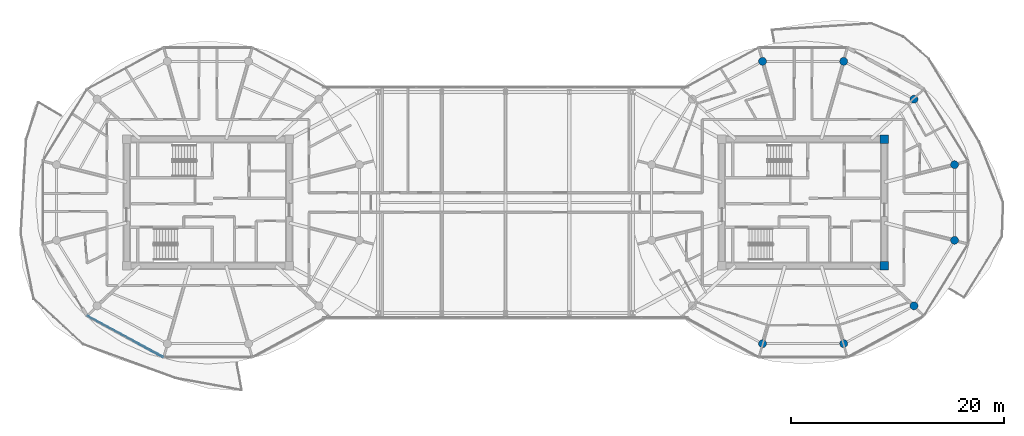
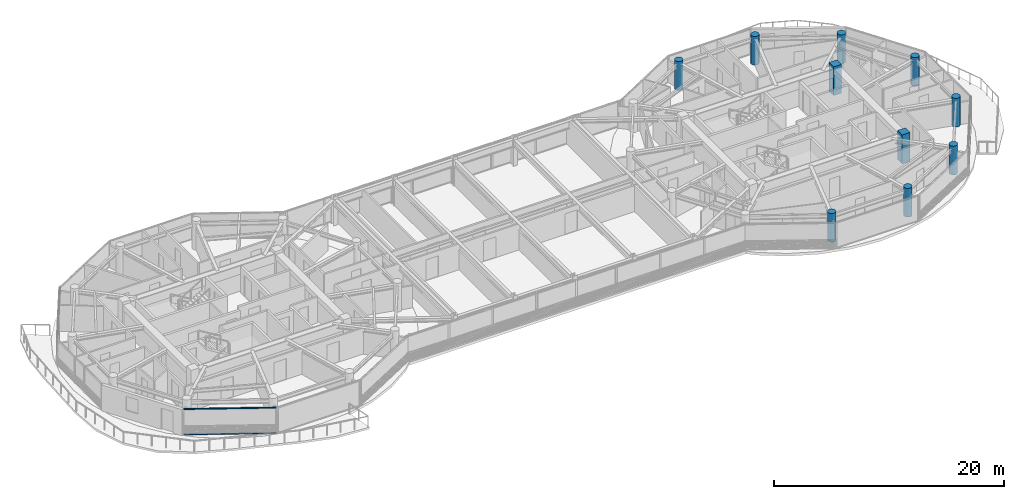
# One storey, part 2 of 23: 10 columns, 2 members, 1 element without a shape of its own.
"""IFC4 building model written with IfcOpenShell, lengths in metres."""

import ifcopenshell
import ifcopenshell.guid

model = None  # the IFC model being written
_history = None  # IfcOwnerHistory: only IFC2X3 demands one
_inside = {}  # id of a spatial element -> (the spatial element, [elements in it])
_under = {}  # id of a project, library or spatial element -> (it, [spatial elements below it])
_declared = {}  # id of a project -> (the project, [libraries it declares])
_typed = {}  # id of a type object -> (the type object, [elements of that type])
_made_of = {}  # id of a material, layer set ... -> (it, [elements and type objects made of it])


def new_model(schema):
    """Start an empty IFC model of exactly this schema.

    Asked for "IFC4X3", IfcOpenShell would pick the latest addendum, in which some entities
    have other attributes; the version numbers below select the first issue.
    IFC2X3 requires an IfcOwnerHistory on every rooted entity: one is made here for all.
    """
    global model, _history
    if schema == "IFC4X3":
        model = ifcopenshell.file(schema_version=(4, 3, 0, 0))
    else:
        model = ifcopenshell.file(schema=schema)
    _inside.clear()
    _under.clear()
    _declared.clear()
    _typed.clear()
    _made_of.clear()
    _history = None
    if model.schema == "IFC2X3":
        org = make("IfcOrganization", Name="unknown")
        user = make(
            "IfcPersonAndOrganization",
            ThePerson=make("IfcPerson", FamilyName="unknown"),
            TheOrganization=org,
        )
        app = make(
            "IfcApplication",
            ApplicationDeveloper=org,
            Version="unknown",
            ApplicationFullName="unknown",
            ApplicationIdentifier="unknown",
        )
        _history = make(
            "IfcOwnerHistory",
            OwningUser=user,
            OwningApplication=app,
            ChangeAction="ADDED",
            CreationDate=0,
        )
    return model


def make(cls, **values):
    """One entity of the class cls with the attributes given. An attribute that is None is left unset."""
    return model.create_entity(
        cls, **{name: value for name, value in values.items() if value is not None}
    )


def rooted(cls, **values):
    """An entity with a GlobalId (a new one), such as an element, a storey or a relation."""
    return make(cls, GlobalId=ifcopenshell.guid.new(), OwnerHistory=_history, **values)


def si_unit(unit_type, name, prefix=None):
    """IfcSIUnit, for example si_unit("LENGTHUNIT", "METRE", prefix="MILLI")."""
    return make("IfcSIUnit", UnitType=unit_type, Prefix=prefix, Name=name)


def assignment(units):
    """IfcUnitAssignment: the units of a project."""
    return None if units is None else make("IfcUnitAssignment", Units=units)


def point(xyz):
    """IfcCartesianPoint."""
    return None if xyz is None else make("IfcCartesianPoint", Coordinates=xyz)


def direction(xyz):
    """IfcDirection."""
    return None if xyz is None else make("IfcDirection", DirectionRatios=xyz)


def frame(location, z_axis=None, x_axis=None):
    """IfcAxis2Placement3D, a coordinate frame: its origin and axes. An axis left out is left unset."""
    return make(
        "IfcAxis2Placement3D",
        Location=point(location),
        Axis=direction(z_axis),
        RefDirection=direction(x_axis),
    )


def frame_2d(location, x_axis=None):
    """IfcAxis2Placement2D, a coordinate frame in the plane: its origin and x axis."""
    return make(
        "IfcAxis2Placement2D", Location=point(location), RefDirection=direction(x_axis)
    )


def origin():
    """The frame at (0, 0, 0) with its axes left unset."""
    return frame((0.0, 0.0, 0.0))


def origin_2d():
    """The frame at (0, 0) in the plane with its x axis left unset."""
    return frame_2d((0.0, 0.0))


def place(relative_to, where):
    """IfcLocalPlacement: puts the frame where relative to a parent placement (None: the world)."""
    return make(
        "IfcLocalPlacement", PlacementRelTo=relative_to, RelativePlacement=where
    )


def context(
    kind, dimensions, precision=None, world=None, true_north=None, identifier=None
):
    """IfcGeometricRepresentationContext, for example the 3D "Model" context."""
    return make(
        "IfcGeometricRepresentationContext",
        ContextIdentifier=identifier,
        ContextType=kind,
        CoordinateSpaceDimension=dimensions,
        Precision=precision,
        WorldCoordinateSystem=world,
        TrueNorth=true_north,
    )


def subcontext(parent, identifier, kind, view, scale=None):
    """IfcGeometricRepresentationSubContext, for example "Body" below "Model"."""
    return make(
        "IfcGeometricRepresentationSubContext",
        ContextIdentifier=identifier,
        ContextType=kind,
        ParentContext=parent,
        TargetScale=scale,
        TargetView=view,
    )


def project(units=None, contexts=None):
    """IfcProject with its units and contexts."""
    return rooted(
        "IfcProject",
        Name="project",
        RepresentationContexts=contexts,
        UnitsInContext=assignment(units),
    )


def spatial(cls, under=None, at=None, **own):
    """A site, building, storey or space (cls), placed at a placement, below another one or the project."""
    s = rooted(cls, ObjectPlacement=at, **own)
    if under is not None:
        _under.setdefault(under.id(), (under, []))[1].append(s)
    return s


def profile(cls, at=None, kind="AREA", **sizes):
    """A parametric profile (cls). Its sizes go by their IFC names, for example OverallWidth=200.0."""
    return make(cls, ProfileType=kind, Position=at, **sizes)


def rectangle(**sizes):
    """IfcRectangleProfileDef."""
    return profile("IfcRectangleProfileDef", **sizes)


def circle(**sizes):
    """IfcCircleProfileDef."""
    return profile("IfcCircleProfileDef", **sizes)


def extrude(swept, where, along, depth):
    """IfcExtrudedAreaSolid: the profile swept, set in the frame where, extruded along a direction by depth."""
    return make(
        "IfcExtrudedAreaSolid",
        SweptArea=swept,
        Position=where,
        ExtrudedDirection=direction(along),
        Depth=depth,
    )


def shape(context_of_items, identifier, shape_type, items):
    """IfcShapeRepresentation: the items that make up one representation, for example the "Body"."""
    return make(
        "IfcShapeRepresentation",
        ContextOfItems=context_of_items,
        RepresentationIdentifier=identifier,
        RepresentationType=shape_type,
        Items=items,
    )


def source(mapping_origin, context_of_items, identifier, shape_type, items):
    """IfcRepresentationMap: a shape defined once, which mapped items show again and again."""
    return make(
        "IfcRepresentationMap",
        MappingOrigin=mapping_origin,
        MappedRepresentation=shape(context_of_items, identifier, shape_type, items),
    )


def transform(
    local_origin,
    x_axis=None,
    y_axis=None,
    z_axis=None,
    scale=None,
    scale2=None,
    scale3=None,
    uniform=True,
):
    """IfcCartesianTransformationOperator3D, or its non-uniform kind. x_axis, y_axis, z_axis: its Axis1, 2, 3."""
    if uniform:
        return make(
            "IfcCartesianTransformationOperator3D",
            Axis1=direction(x_axis),
            Axis2=direction(y_axis),
            LocalOrigin=point(local_origin),
            Scale=scale,
            Axis3=direction(z_axis),
        )
    return make(
        "IfcCartesianTransformationOperator3DnonUniform",
        Axis1=direction(x_axis),
        Axis2=direction(y_axis),
        LocalOrigin=point(local_origin),
        Scale=scale,
        Axis3=direction(z_axis),
        Scale2=scale2,
        Scale3=scale3,
    )


def mapped(mapping_source, mapping_target):
    """IfcMappedItem: shows the shape of a source again, moved by a transform."""
    return make(
        "IfcMappedItem", MappingSource=mapping_source, MappingTarget=mapping_target
    )


def material(Name=None, Category=None):
    """IfcMaterial."""
    return make("IfcMaterial", Name=Name, Category=Category)


def layer(
    of_material, thickness, ventilated=None, Name=None, Category=None, Priority=None
):
    """IfcMaterialLayer: one layer of a wall or slab, of a material (None: an air gap)."""
    return make(
        "IfcMaterialLayer",
        Material=of_material,
        LayerThickness=thickness,
        IsVentilated=ventilated,
        Name=Name,
        Category=Category,
        Priority=Priority,
    )


def layer_set(layers, Name=None):
    """IfcMaterialLayerSet."""
    return make("IfcMaterialLayerSet", MaterialLayers=layers, LayerSetName=Name)


def material_profile(
    of_material, cross_section, Name=None, Category=None, Priority=None
):
    """IfcMaterialProfile: a cross section and its material."""
    return make(
        "IfcMaterialProfile",
        Name=Name,
        Material=of_material,
        Profile=cross_section,
        Priority=Priority,
        Category=Category,
    )


def profile_set(profiles, Name=None, composite=None):
    """IfcMaterialProfileSet."""
    return make(
        "IfcMaterialProfileSet",
        Name=Name,
        MaterialProfiles=profiles,
        CompositeProfile=composite,
    )


def made_of(thing, what):
    """Note that an element or type object is made of a material, layer set ...; save() writes the relation."""
    if what is not None:
        _made_of.setdefault(what.id(), (what, []))[1].append(thing)
    return thing


def type_object(cls, material=None, **own):
    """A type object (cls), such as IfcWallType, which elements share."""
    return made_of(rooted(cls, **own), material)


def type_shapes(of_type, sources):
    """Give a type object the sources (RepresentationMaps) that its elements show as mapped items."""
    of_type.RepresentationMaps = sources


def element(
    cls,
    number,
    at=None,
    inside=None,
    cuts=None,
    type_object=None,
    material=None,
    context=None,
    identifier="Body",
    shape_type=None,
    held_by="IfcProductDefinitionShape",
    body=None,
    shapes=None,
    **own,
):
    """One element of the class cls, such as IfcWall. Its Tag is "e" and its number.

    at: its placement. inside: the storey or other place that contains it. cuts: it is an
    opening in that element (IfcRelVoidsElement). A single representation is given by context,
    identifier, shape_type and body (its items); several are given by shapes. held_by: the class
    of the entity that holds the representations. save() writes the other relations.
    """
    e = rooted(cls, Tag="e%d" % number, ObjectPlacement=at, **own)
    if body is not None:
        shapes = [shape(context, identifier, shape_type, body)]
    if shapes is not None:
        e.Representation = make(held_by, Representations=shapes)
    if inside is not None:
        _inside.setdefault(inside.id(), (inside, []))[1].append(e)
    if cuts is not None:
        rooted(
            "IfcRelVoidsElement", RelatingBuildingElement=cuts, RelatedOpeningElement=e
        )
    if type_object is not None:
        _typed.setdefault(type_object.id(), (type_object, []))[1].append(e)
    return made_of(e, material)


def aggregate(whole, parts):
    """IfcRelAggregates: a whole, such as a stair, and the parts it consists of."""
    return rooted("IfcRelAggregates", RelatingObject=whole, RelatedObjects=parts)


def save(model, path):
    """Write the relations noted so far, then the file.

    IfcRelAggregates (storeys below a building ...), IfcRelContainedInSpatialStructure (elements
    in a storey), IfcRelDefinesByType, IfcRelAssociatesMaterial and IfcRelDeclares: one each for
    every whole, place, type object, material and project.
    """
    for whole, parts in _under.values():
        aggregate(whole, parts)
    for where, things in _inside.values():
        rooted(
            "IfcRelContainedInSpatialStructure",
            RelatedElements=things,
            RelatingStructure=where,
        )
    for kind, things in _typed.values():
        rooted("IfcRelDefinesByType", RelatedObjects=things, RelatingType=kind)
    for what, things in _made_of.values():
        rooted("IfcRelAssociatesMaterial", RelatedObjects=things, RelatingMaterial=what)
    for by, libraries in _declared.values():
        rooted("IfcRelDeclares", RelatingContext=by, RelatedDefinitions=libraries)
    model.write(path)


model = new_model("IFC4")

# Units and contexts
model_context = context("Model", 3, precision=1e-05, world=origin(), true_north=direction((0.0, 1.0)))
body_context = subcontext(model_context, "Body", "Model", "MODEL_VIEW")
ifc_project = project(units=[si_unit("LENGTHUNIT", "METRE"), si_unit("AREAUNIT", "SQUARE_METRE"), si_unit("VOLUMEUNIT", "CUBIC_METRE"), si_unit("PLANEANGLEUNIT", "RADIAN"), si_unit("MASSUNIT", "GRAM", prefix="KILO")], contexts=[model_context])

# Site, building, storey
site_placement = place(None, origin())
site = spatial("IfcSite", under=ifc_project, at=site_placement, CompositionType="ELEMENT")
building_placement = place(site_placement, origin())
building = spatial("IfcBuilding", under=site, at=building_placement, Name="Norrkilde Senior Care Towers", CompositionType="ELEMENT")
storey_placement = place(building_placement, frame((0.0, 0.0, 216.949951171875)))
storey = spatial("IfcBuildingStorey", under=building, at=storey_placement, Name="L67", CompositionType="ELEMENT", Elevation=216.949951171875)

# Columns
ifc_material_1 = material(Name="Concrete C60/75", Category="concrete")
ifc_material_profile_1 = material_profile(ifc_material_1, rectangle(XDim=0.800048828125, YDim=0.800048828125, at=origin_2d()), Name="RC COL 800x800")
ifc_profile_set_1 = profile_set([ifc_material_profile_1], Name="Concrete C60/75")
column_type_1 = type_object("IfcColumnType", Name="Column Core Corner Z3-Z4 800", PredefinedType="COLUMN", material=ifc_profile_set_1)
shared_shape_1 = source(origin(), body_context, "Body", "SweptSolid", [
    extrude(rectangle(XDim=0.800048828125, YDim=0.800048828125, at=origin_2d()), origin(), (0.0, 0.0, 1.0), 3.050048828125),
])
type_shapes(column_type_1, [shared_shape_1])
for number, where, z_axis, x_axis, name in (
    (1, (35.64990234375, -5.949951171875, 0.0), (0.0, 0.0, 1.0), (1.0, 0.0, 0.0), "L67 Core E Corner Column 2"),
    (2, (35.64990234375, 5.949951171875, 0.0), (0.0, 0.0, 1.0), (1.0, 0.0, 0.0), "L67 Core E Corner Column 3"),
):
    element("IfcColumn", number, at=place(storey_placement, frame(where, z_axis=z_axis, x_axis=x_axis)), inside=storey, type_object=column_type_1, Name=name, PredefinedType="COLUMN", context=body_context, shape_type="MappedRepresentation", body=[
        mapped(shared_shape_1, transform((0.0, 0.0, 0.0), x_axis=(1.0, 0.0, 0.0), y_axis=(0.0, 1.0, 0.0), z_axis=(0.0, 0.0, 1.0), scale=1.0)),
    ])
ifc_material_2 = material(Name="Concrete C50/60", Category="concrete")
ifc_material_profile_2 = material_profile(ifc_material_2, circle(Radius=0.375, at=origin_2d()), Name="RC CIR 750")
ifc_profile_set_2 = profile_set([ifc_material_profile_2], Name="Concrete C50/60")
column_type_2 = type_object("IfcColumnType", Name="Column Perimeter Z4 750", PredefinedType="COLUMN", material=ifc_profile_set_2)
shared_shape_2 = source(origin(), body_context, "Body", "SweptSolid", [
    extrude(circle(Radius=0.375, at=origin_2d()), origin(), (0.0, 0.0, 1.0), 3.050048828125),
])
type_shapes(column_type_2, [shared_shape_2])
for number, where, z_axis, x_axis, name in (
    (3, (42.247314453125, 3.558837890625, 0.0), (0.0, 0.0, 1.0), (1.0, 0.0, 0.0), "L67 Drum E Perimeter Column 01"),
    (4, (38.429931640625, 9.72265625, 0.0), (0.0, 0.0, 1.0), (1.0, 0.0, 0.0), "L67 Drum E Perimeter Column 02"),
    (5, (31.817626953125, 13.281494140625, 0.0), (0.0, 0.0, 1.0), (1.0, 0.0, 0.0), "L67 Drum E Perimeter Column 03"),
    (6, (24.182373046875, 13.281494140625, 0.0), (0.0, 0.0, 1.0), (1.0, 0.0, 0.0), "L67 Drum E Perimeter Column 04"),
    (7, (24.182373046875, -13.281494140625, 0.0), (0.0, 0.0, 1.0), (1.0, 0.0, 0.0), "L67 Drum E Perimeter Column 09"),
    (8, (31.817626953125, -13.281494140625, 0.0), (0.0, 0.0, 1.0), (1.0, 0.0, 0.0), "L67 Drum E Perimeter Column 10"),
    (9, (38.429931640625, -9.72265625, 0.0), (0.0, 0.0, 1.0), (1.0, 0.0, 0.0), "L67 Drum E Perimeter Column 11"),
    (10, (42.247314453125, -3.558837890625, 0.0), (0.0, 0.0, 1.0), (1.0, 0.0, 0.0), "L67 Drum E Perimeter Column 12"),
):
    element("IfcColumn", number, at=place(storey_placement, frame(where, z_axis=z_axis, x_axis=x_axis)), inside=storey, type_object=column_type_2, Name=name, PredefinedType="COLUMN", context=body_context, shape_type="MappedRepresentation", body=[
        mapped(shared_shape_2, transform((0.0, 0.0, 0.0), x_axis=(1.0, 0.0, 0.0), y_axis=(0.0, 1.0, 0.0), z_axis=(0.0, 0.0, 1.0), scale=1.0)),
    ])

# Curtain wall, members
ifc_material_3 = material(Name="Triple Low-E Insulated Glazing", Category="glass")
ifc_layer = layer(ifc_material_3, 0.18505859375)
ifc_layer_set = layer_set([ifc_layer], Name="Triple Low-E Insulated Glazing")
curtain_wall_type = type_object("IfcCurtainWallType", Name="CW6 Zone 4 Crown Pavilion Curtain Wall", PredefinedType="NOTDEFINED", material=ifc_layer_set)
curtain_wall_placement = place(storey_placement, origin())
curtain_wall = element("IfcCurtainWall", 11, at=curtain_wall_placement, inside=storey, type_object=curtain_wall_type, Name="L67 Drum W Curtain Wall 07", PredefinedType="NOTDEFINED")
ifc_material_4 = material(Name="Anodised Aluminium", Category="aluminium")
ifc_material_profile_3 = material_profile(ifc_material_4, rectangle(XDim=0.06005859375, YDim=0.1201171875, at=origin_2d()), Name="ALU TRAN 60x120")
ifc_profile_set_3 = profile_set([ifc_material_profile_3], Name="Anodised Aluminium")
member_type = type_object("IfcMemberType", Name="Curtain Wall Transom Typical 60x120", PredefinedType="USERDEFINED", material=ifc_profile_set_3)
shared_shape_3 = source(origin(), body_context, "Body", "SweptSolid", [
    extrude(rectangle(XDim=0.06005859375, YDim=0.1201171875, at=origin_2d()), origin(), (0.0, 0.0, 1.0), 8.0673828125),
])
type_shapes(member_type, [shared_shape_3])
member_1_placement = place(storey_placement, frame((-32.218994140625, -14.53515625, 0.030029296875), z_axis=(-0.87937750072, 0.476125205411, 0.0), x_axis=(-0.476125205411, -0.87937750072, 0.0)))
member_1 = element("IfcMember", 12, at=member_1_placement, type_object=member_type, Name="CW-6 transom 1.1", ObjectType="TRANSOM", PredefinedType="USERDEFINED", context=body_context, shape_type="MappedRepresentation", body=[
    mapped(shared_shape_3, transform((0.0, 0.0, 0.0), x_axis=(1.0, 0.0, 0.0), y_axis=(0.0, 1.0, 0.0), z_axis=(0.0, 0.0, 1.0), scale=1.0)),
])
member_2_placement = place(storey_placement, frame((-32.218994140625, -14.53515625, 2.72998046875), z_axis=(-0.87937750072, 0.476125205411, 0.0), x_axis=(-0.476125205411, -0.87937750072, 0.0)))
member_2 = element("IfcMember", 13, at=member_2_placement, type_object=member_type, Name="CW-6 transom 1.2", ObjectType="TRANSOM", PredefinedType="USERDEFINED", context=body_context, shape_type="MappedRepresentation", body=[
    mapped(shared_shape_3, transform((0.0, 0.0, 0.0), x_axis=(1.0, 0.0, 0.0), y_axis=(0.0, 1.0, 0.0), z_axis=(0.0, 0.0, 1.0), scale=1.0)),
])
aggregate(curtain_wall, [member_1, member_2])

save(model, "model.ifc")
